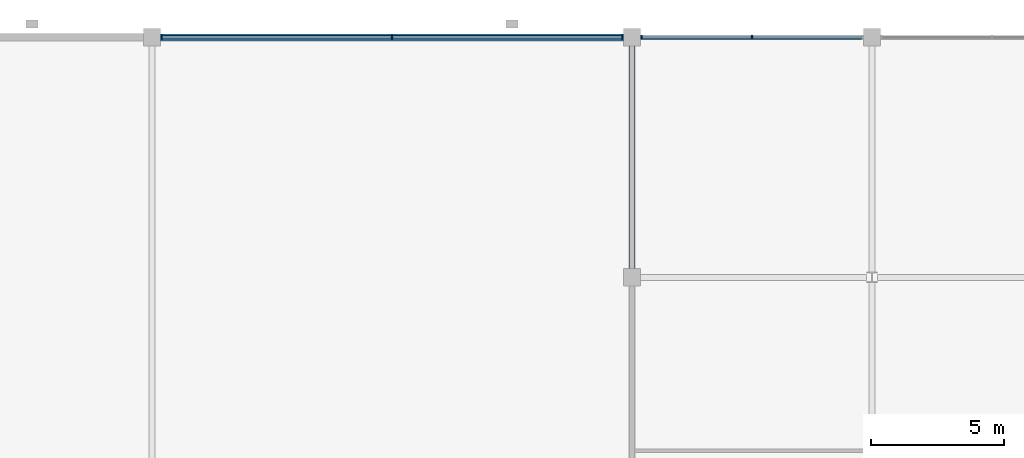
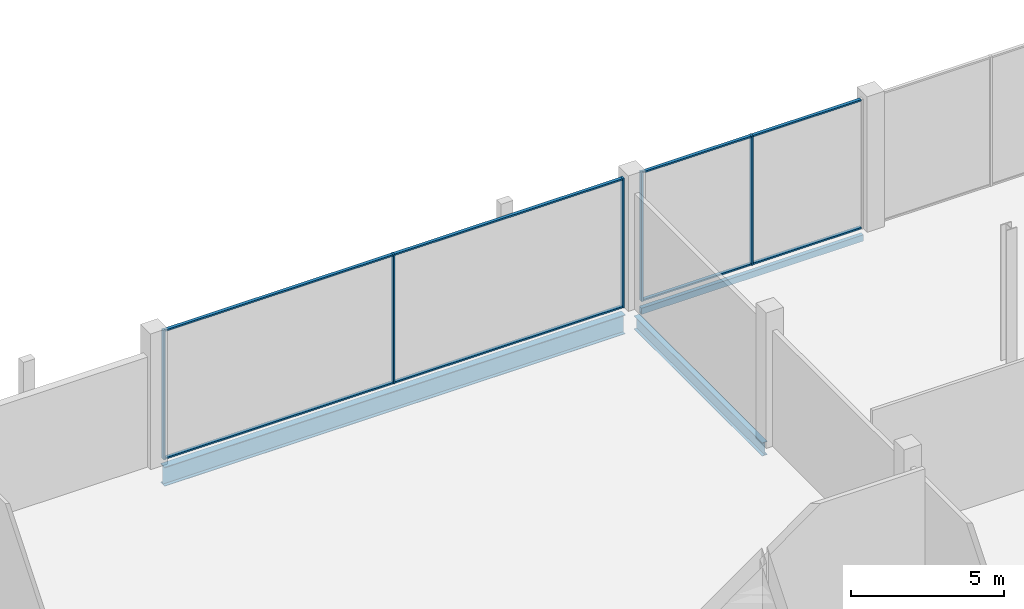
# One storey, part 51 of 111: 13 members, 3 beams, 2 elements without a shape of their own.
"""IFC4 building model written with IfcOpenShell, lengths in metres."""

from ifc_helpers import new_model, si_unit, direction, frame, origin, origin_2d, place, context, subcontext, project, spatial, rectangle, hollow_rectangle, i_section, extrude, material, layer, layer_set, material_profile, profile_set, type_object, element, aggregate, save


model = new_model("IFC4")

# Units and contexts
model_context = context("Model", 3, precision=1e-05, world=origin(), true_north=direction((0.0, 1.0)))
body_context = subcontext(model_context, "Body", "Model", "MODEL_VIEW")
ifc_project = project(units=[si_unit("LENGTHUNIT", "METRE"), si_unit("AREAUNIT", "SQUARE_METRE"), si_unit("VOLUMEUNIT", "CUBIC_METRE"), si_unit("PLANEANGLEUNIT", "RADIAN"), si_unit("MASSUNIT", "GRAM", prefix="KILO")], contexts=[model_context])

# Site, building, storey
site_placement = place(None, origin())
site = spatial("IfcSite", under=ifc_project, at=site_placement, CompositionType="ELEMENT")
building_placement = place(site_placement, origin())
building = spatial("IfcBuilding", under=site, at=building_placement, Name="Kisiwana Market Hall", CompositionType="ELEMENT")
storey_placement = place(building_placement, frame((0.0, 0.0, 11.39990234375)))
storey = spatial("IfcBuildingStorey", under=building, at=storey_placement, Name="L02", CompositionType="ELEMENT", Elevation=11.39990234375)

# Beams
ifc_material_1 = material(Name="Steel S355", Category="steel")
ifc_material_profile_1 = material_profile(ifc_material_1, i_section(OverallWidth=0.209228515625, OverallDepth=0.533203125, WebThickness=0.010009765625, FlangeThickness=0.015625, at=origin_2d()), Name="UB 533x210x92")
ifc_profile_set_1 = profile_set([ifc_material_profile_1], Name="Steel S355")
beam_type_1 = type_object("IfcBeamType", Name="BM-GIRD-UB533", PredefinedType="BEAM", material=ifc_profile_set_1)
beam_1_placement = place(storey_placement, frame((153.0, 111.321044921875, -0.516357421875), z_axis=(0.0, 1.0, 0.0), x_axis=(-1.0, 0.0, 0.0)))
element("IfcBeam", 1, at=beam_1_placement, inside=storey, type_object=beam_type_1, Name="Primary girder B-0668", PredefinedType="BEAM", context=body_context, shape_type="SweptSolid", body=[
    extrude(i_section(OverallWidth=0.209228515625, OverallDepth=0.533203125, WebThickness=0.010009765625, FlangeThickness=0.015625, at=origin_2d()), origin(), (0.0, 0.0, 1.0), 8.35791015625),
])
ifc_material_2 = material(Name="Steel S355", Category="steel")
ifc_material_profile_2 = material_profile(ifc_material_2, i_section(OverallWidth=0.2666015625, OverallDepth=0.76220703125, WebThickness=0.014404296875, FlangeThickness=0.021484375, at=origin_2d()), Name="UB 762x267x173")
ifc_profile_set_2 = profile_set([ifc_material_profile_2], Name="Steel S355")
beam_type_2 = type_object("IfcBeamType", Name="BM-GIRD-UB762", PredefinedType="BEAM", material=ifc_profile_set_2)
beam_2_placement = place(storey_placement, frame((135.321044921875, 120.0, -0.631103515625), z_axis=(1.0, 0.0, 0.0), x_axis=(0.0, 1.0, 0.0)))
element("IfcBeam", 2, at=beam_2_placement, inside=storey, type_object=beam_type_2, Name="Floor beam B-0820", PredefinedType="BEAM", context=body_context, shape_type="SweptSolid", body=[
    extrude(i_section(OverallWidth=0.2666015625, OverallDepth=0.76220703125, WebThickness=0.014404296875, FlangeThickness=0.021484375, at=origin_2d()), origin(), (0.0, 0.0, 1.0), 17.35791015625),
])
ifc_material_3 = material(Name="Steel S355", Category="steel")
ifc_material_profile_3 = material_profile(ifc_material_3, hollow_rectangle(XDim=0.14990234375, YDim=0.25, WallThickness=0.010009765625, at=origin_2d()), Name="RHS 250x150x10.0")
ifc_profile_set_3 = profile_set([ifc_material_profile_3], Name="Steel S355")
beam_type_3 = type_object("IfcBeamType", Name="BM-SPAN-RHS250", PredefinedType="SPANDREL", material=ifc_profile_set_3)
beam_3_placement = place(storey_placement, frame((153.321044921875, 120.0, -0.375), z_axis=(1.0, 0.0, 0.0), x_axis=(0.0, 1.0, 0.0)))
element("IfcBeam", 3, at=beam_3_placement, inside=storey, type_object=beam_type_3, Name="Floor beam B-0821", PredefinedType="SPANDREL", context=body_context, shape_type="SweptSolid", body=[
    extrude(hollow_rectangle(XDim=0.14990234375, YDim=0.25, WallThickness=0.010009765625, at=origin_2d()), origin(), (0.0, 0.0, 1.0), 8.35791015625),
])

# Curtain wall, members
ifc_material_4 = material(Name="Double-glazed solar-control low-E IGU", Category="glass")
ifc_layer = layer(ifc_material_4, 0.159912109375)
ifc_layer_set = layer_set([ifc_layer], Name="CW-GLD-E-7200")
curtain_wall_type = type_object("IfcCurtainWallType", Name="CW-GLD-E-7200", PredefinedType="USERDEFINED", material=ifc_layer_set)
curtain_wall_1_placement = place(storey_placement, origin())
curtain_wall_1 = element("IfcCurtainWall", 4, at=curtain_wall_1_placement, inside=storey, type_object=curtain_wall_type, Name="Unitised curtain wall CW-085 (L02)", ObjectType="UNITISED CURTAIN WALL", PredefinedType="USERDEFINED")
ifc_material_5 = material(Name="Aluminium alloy 6063-T6", Category="aluminium")
ifc_material_profile_4 = material_profile(ifc_material_5, rectangle(XDim=0.06005859375, YDim=0.159912109375, at=origin_2d()), Name="ALU MULLION 60x160")
ifc_profile_set_4 = profile_set([ifc_material_profile_4], Name="Aluminium alloy 6063-T6")
member_type_1 = type_object("IfcMemberType", Name="CW-MULL-60x160", PredefinedType="MULLION", material=ifc_profile_set_4)
member_1_placement = place(storey_placement, frame((135.35498046875, 120.0, 0.0), z_axis=(0.0, 0.0, 1.0), x_axis=(1.0, 0.0, 0.0)))
member_1 = element("IfcMember", 5, at=member_1_placement, type_object=member_type_1, Name="CW-085 mullion 1", PredefinedType="MULLION", context=body_context, shape_type="SweptSolid", body=[
    extrude(rectangle(XDim=0.06005859375, YDim=0.159912109375, at=origin_2d()), origin(), (0.0, 0.0, 1.0), 5.150146484375),
])
member_2_placement = place(storey_placement, frame((144.0, 120.0, 0.0), z_axis=(0.0, 0.0, 1.0), x_axis=(1.0, 0.0, 0.0)))
member_2 = element("IfcMember", 6, at=member_2_placement, type_object=member_type_1, Name="CW-085 mullion 2", PredefinedType="MULLION", context=body_context, shape_type="SweptSolid", body=[
    extrude(rectangle(XDim=0.06005859375, YDim=0.159912109375, at=origin_2d()), origin(), (0.0, 0.0, 1.0), 5.150146484375),
])
member_3_placement = place(storey_placement, frame((152.64501953125, 120.0, 0.0), z_axis=(0.0, 0.0, 1.0), x_axis=(1.0, 0.0, 0.0)))
member_3 = element("IfcMember", 7, at=member_3_placement, type_object=member_type_1, Name="CW-085 mullion 3", PredefinedType="MULLION", context=body_context, shape_type="SweptSolid", body=[
    extrude(rectangle(XDim=0.06005859375, YDim=0.159912109375, at=origin_2d()), origin(), (0.0, 0.0, 1.0), 5.150146484375),
])

curtain_wall_2_placement = place(storey_placement, origin())
curtain_wall_2 = element("IfcCurtainWall", 8, at=curtain_wall_2_placement, inside=storey, type_object=curtain_wall_type, Name="Unitised curtain wall CW-086 (L02)", ObjectType="UNITISED CURTAIN WALL", PredefinedType="USERDEFINED")
member_4_placement = place(storey_placement, frame((153.35498046875, 120.0, 0.0), z_axis=(0.0, 0.0, 1.0), x_axis=(1.0, 0.0, 0.0)))
member_4 = element("IfcMember", 9, at=member_4_placement, type_object=member_type_1, Name="CW-086 mullion 1", PredefinedType="MULLION", context=body_context, shape_type="SweptSolid", body=[
    extrude(rectangle(XDim=0.06005859375, YDim=0.159912109375, at=origin_2d()), origin(), (0.0, 0.0, 1.0), 5.150146484375),
])
member_5_placement = place(storey_placement, frame((157.5, 120.0, 0.0), z_axis=(0.0, 0.0, 1.0), x_axis=(1.0, 0.0, 0.0)))
member_5 = element("IfcMember", 10, at=member_5_placement, type_object=member_type_1, Name="CW-086 mullion 2", PredefinedType="MULLION", context=body_context, shape_type="SweptSolid", body=[
    extrude(rectangle(XDim=0.06005859375, YDim=0.159912109375, at=origin_2d()), origin(), (0.0, 0.0, 1.0), 5.150146484375),
])

# Member
ifc_material_6 = material(Name="Aluminium alloy 6063-T6", Category="aluminium")
ifc_material_profile_5 = material_profile(ifc_material_6, rectangle(XDim=0.1201171875, YDim=0.06005859375, at=origin_2d()), Name="ALU TRANSOM 60x120")
ifc_profile_set_5 = profile_set([ifc_material_profile_5], Name="Aluminium alloy 6063-T6")
member_type_2 = type_object("IfcMemberType", Name="CW-TRAN-60x120", PredefinedType="USERDEFINED", material=ifc_profile_set_5)
member_6_placement = place(storey_placement, frame((135.385009765625, 120.0, 0.030029296875), z_axis=(1.0, 0.0, 0.0), x_axis=(0.0, 1.0, 0.0)))
member_6 = element("IfcMember", 11, at=member_6_placement, type_object=member_type_2, Name="CW-085 transom 1.1", ObjectType="TRANSOM", PredefinedType="USERDEFINED", context=body_context, shape_type="SweptSolid", body=[
    extrude(rectangle(XDim=0.1201171875, YDim=0.06005859375, at=origin_2d()), origin(), (0.0, 0.0, 1.0), 8.5849609375),
])

member_7_placement = place(storey_placement, frame((135.385009765625, 120.0, 5.1201171875), z_axis=(1.0, 0.0, 0.0), x_axis=(0.0, 1.0, 0.0)))
member_7 = element("IfcMember", 12, at=member_7_placement, type_object=member_type_2, Name="CW-085 transom 1.2", ObjectType="TRANSOM", PredefinedType="USERDEFINED", context=body_context, shape_type="SweptSolid", body=[
    extrude(rectangle(XDim=0.1201171875, YDim=0.06005859375, at=origin_2d()), origin(), (0.0, 0.0, 1.0), 8.5849609375),
])

member_8_placement = place(storey_placement, frame((144.030029296875, 120.0, 0.030029296875), z_axis=(1.0, 0.0, 0.0), x_axis=(0.0, 1.0, 0.0)))
member_8 = element("IfcMember", 13, at=member_8_placement, type_object=member_type_2, Name="CW-085 transom 2.1", ObjectType="TRANSOM", PredefinedType="USERDEFINED", context=body_context, shape_type="SweptSolid", body=[
    extrude(rectangle(XDim=0.1201171875, YDim=0.06005859375, at=origin_2d()), origin(), (0.0, 0.0, 1.0), 8.5849609375),
])

member_9_placement = place(storey_placement, frame((144.030029296875, 120.0, 5.1201171875), z_axis=(1.0, 0.0, 0.0), x_axis=(0.0, 1.0, 0.0)))
member_9 = element("IfcMember", 14, at=member_9_placement, type_object=member_type_2, Name="CW-085 transom 2.2", ObjectType="TRANSOM", PredefinedType="USERDEFINED", context=body_context, shape_type="SweptSolid", body=[
    extrude(rectangle(XDim=0.1201171875, YDim=0.06005859375, at=origin_2d()), origin(), (0.0, 0.0, 1.0), 8.5849609375),
])

aggregate(curtain_wall_1, [member_1, member_2, member_3, member_6, member_7, member_8, member_9])

member_10_placement = place(storey_placement, frame((153.385009765625, 120.0, 0.030029296875), z_axis=(1.0, 0.0, 0.0), x_axis=(0.0, 1.0, 0.0)))
member_10 = element("IfcMember", 15, at=member_10_placement, type_object=member_type_2, Name="CW-086 transom 1.1", ObjectType="TRANSOM", PredefinedType="USERDEFINED", context=body_context, shape_type="SweptSolid", body=[
    extrude(rectangle(XDim=0.1201171875, YDim=0.06005859375, at=origin_2d()), origin(), (0.0, 0.0, 1.0), 4.0849609375),
])

member_11_placement = place(storey_placement, frame((153.385009765625, 120.0, 5.1201171875), z_axis=(1.0, 0.0, 0.0), x_axis=(0.0, 1.0, 0.0)))
member_11 = element("IfcMember", 16, at=member_11_placement, type_object=member_type_2, Name="CW-086 transom 1.2", ObjectType="TRANSOM", PredefinedType="USERDEFINED", context=body_context, shape_type="SweptSolid", body=[
    extrude(rectangle(XDim=0.1201171875, YDim=0.06005859375, at=origin_2d()), origin(), (0.0, 0.0, 1.0), 4.0849609375),
])

member_12_placement = place(storey_placement, frame((157.530029296875, 120.0, 0.030029296875), z_axis=(1.0, 0.0, 0.0), x_axis=(0.0, 1.0, 0.0)))
member_12 = element("IfcMember", 17, at=member_12_placement, type_object=member_type_2, Name="CW-086 transom 2.1", ObjectType="TRANSOM", PredefinedType="USERDEFINED", context=body_context, shape_type="SweptSolid", body=[
    extrude(rectangle(XDim=0.1201171875, YDim=0.06005859375, at=origin_2d()), origin(), (0.0, 0.0, 1.0), 4.0849609375),
])

member_13_placement = place(storey_placement, frame((157.530029296875, 120.0, 5.1201171875), z_axis=(1.0, 0.0, 0.0), x_axis=(0.0, 1.0, 0.0)))
member_13 = element("IfcMember", 18, at=member_13_placement, type_object=member_type_2, Name="CW-086 transom 2.2", ObjectType="TRANSOM", PredefinedType="USERDEFINED", context=body_context, shape_type="SweptSolid", body=[
    extrude(rectangle(XDim=0.1201171875, YDim=0.06005859375, at=origin_2d()), origin(), (0.0, 0.0, 1.0), 4.0849609375),
])

aggregate(curtain_wall_2, [member_4, member_5, member_10, member_11, member_12, member_13])

save(model, "model.ifc")
